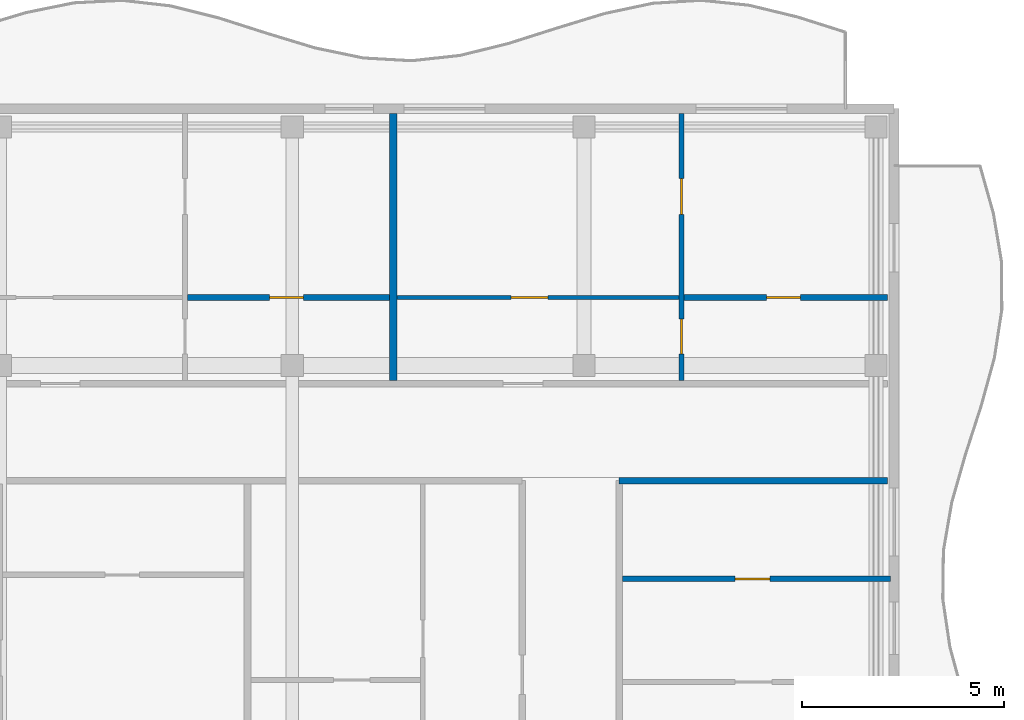
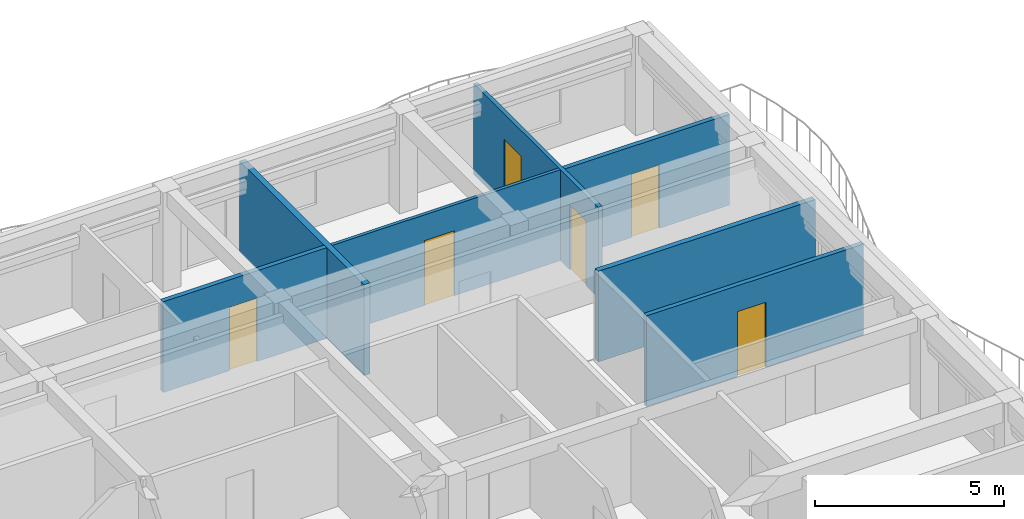
# One storey, part 38 of 54: 7 walls, 6 doors, 6 openings.
"""IFC4 building model written with IfcOpenShell, lengths in metres."""

from ifc_helpers import new_model, si_unit, direction, frame, frame_2d, origin, place, context, subcontext, project, spatial, rectangle, extrude, material, layer, layer_set, type_object, element, fill, save


model = new_model("IFC4")

# Units and contexts
model_context = context("Model", 3, precision=1e-05, world=origin(), true_north=direction((0.0, 1.0)))
body_context = subcontext(model_context, "Body", "Model", "MODEL_VIEW")
ifc_project = project(units=[si_unit("LENGTHUNIT", "METRE"), si_unit("AREAUNIT", "SQUARE_METRE"), si_unit("VOLUMEUNIT", "CUBIC_METRE"), si_unit("PLANEANGLEUNIT", "RADIAN"), si_unit("MASSUNIT", "GRAM", prefix="KILO")], contexts=[model_context])

# Site, building, storey
site_placement = place(None, origin())
site = spatial("IfcSite", under=ifc_project, at=site_placement, CompositionType="ELEMENT")
building_placement = place(site_placement, origin())
building = spatial("IfcBuilding", under=site, at=building_placement, Name="Keldmere Railside Commons", CompositionType="ELEMENT")
storey_placement = place(building_placement, frame((0.0, 0.0, 26.56005859375)))
storey = spatial("IfcBuildingStorey", under=building, at=storey_placement, Name="L08", CompositionType="ELEMENT", Elevation=26.56005859375)

# Wall
ifc_material_1 = material(Name="Acoustic Gypsum Board Partition", Category="gypsum")
ifc_layer_1 = layer(ifc_material_1, 0.179931640625, Name="Acoustic Demising Partition 180")
ifc_layer_set_1 = layer_set([ifc_layer_1], Name="Acoustic Gypsum Board Partition")
wall_type_1 = type_object("IfcWallType", Name="Acoustic Demising Partition 180", PredefinedType="PARTITIONING", material=ifc_layer_set_1)
wall_1_placement = place(storey_placement, frame((171.610107421875, 109.280029296875, 0.0), z_axis=(0.0, 0.0, 1.0), x_axis=(0.0, 1.0, 0.0)))
element("IfcWall", 1, at=wall_1_placement, inside=storey, type_object=wall_type_1, Name="IW-1 IW-L08-1748", PredefinedType="PARTITIONING", context=body_context, shape_type="SweptSolid", body=[
    extrude(rectangle(XDim=6.599853515625, YDim=0.179931640625, at=frame_2d((3.2998046875, 0.0))), origin(), (0.0, 0.0, 1.0), 2.93505859375),
])

# Wall, openings, doors
ifc_layer_2 = layer(ifc_material_1, 0.1201171875, Name="Apartment Interior Partition 120")
ifc_layer_set_2 = layer_set([ifc_layer_2], Name="Acoustic Gypsum Board Partition")
wall_type_2 = type_object("IfcWallType", Name="Apartment Interior Partition 120", PredefinedType="PARTITIONING", material=ifc_layer_set_2)
wall_2_placement = place(storey_placement, frame((178.739990234375, 109.280029296875, 0.0), z_axis=(0.0, 0.0, 1.0), x_axis=(0.0, 1.0, 0.0)))
wall_2 = element("IfcWall", 2, at=wall_2_placement, inside=storey, type_object=wall_type_2, Name="IW-4 IW-L08-1755", PredefinedType="PARTITIONING", context=body_context, shape_type="SweptSolid", body=[
    extrude(rectangle(XDim=6.599853515625, YDim=0.1201171875, at=frame_2d((3.2998046875, 0.0))), origin(), (0.0, 0.0, 1.0), 2.93505859375),
])
opening_1_placement = place(wall_2_placement, frame((0.656005859375, 0.0, 0.0)))
opening_1 = element("IfcOpeningElement", 3, at=opening_1_placement, cuts=wall_2, Name="Opening ID-04", PredefinedType="OPENING", context=body_context, shape_type="SweptSolid", body=[
    extrude(rectangle(XDim=0.860107421875, YDim=2.10009765625, at=frame_2d((0.43017578125, 1.050048828125))), frame((0.0, 0.070068359375, 0.0), z_axis=(0.0, -1.0, 0.0), x_axis=(1.0, 0.0, 0.0)), (0.0, 0.0, 1.0), 0.14013671875),
])
opening_2_placement = place(wall_2_placement, frame((4.097412109375, 0.0, 0.0)))
opening_2 = element("IfcOpeningElement", 4, at=opening_2_placement, cuts=wall_2, Name="Opening ID-01", PredefinedType="OPENING", context=body_context, shape_type="SweptSolid", body=[
    extrude(rectangle(XDim=0.89990234375, YDim=2.10009765625, at=frame_2d((0.449951171875, 1.050048828125))), frame((0.0, 0.070068359375, 0.0), z_axis=(0.0, -1.0, 0.0), x_axis=(1.0, 0.0, 0.0)), (0.0, 0.0, 1.0), 0.14013671875),
])
ifc_material_2 = material(Name="Engineered Oak Timber", Category="wood")
door_type_1 = type_object("IfcDoorType", Name="Apartment Bathroom Door 860x2100", OperationType="NOTDEFINED", PredefinedType="DOOR", material=ifc_material_2)
door_1_placement = place(opening_1_placement, origin())
door_1 = element("IfcDoor", 5, at=door_1_placement, inside=storey, type_object=door_type_1, Name="ID-04 IDR-L08-1602", OperationType="SINGLE_SWING_RIGHT", OverallHeight=2.10009765625, OverallWidth=0.860107421875, PredefinedType="DOOR", context=body_context, shape_type="SweptSolid", body=[
    extrude(rectangle(XDim=0.860107421875, YDim=2.10009765625, at=frame_2d((0.43017578125, 1.050048828125))), frame((0.0, 0.02490234375, 0.0), z_axis=(0.0, -1.0, 0.0), x_axis=(1.0, 0.0, 0.0)), (0.0, 0.0, 1.0), 0.050048828125),
])
fill(opening_1, door_1)
door_type_2 = type_object("IfcDoorType", Name="Primary Bedroom Door 900x2100", OperationType="NOTDEFINED", PredefinedType="DOOR", material=ifc_material_2)
door_2_placement = place(opening_2_placement, origin())
door_2 = element("IfcDoor", 6, at=door_2_placement, inside=storey, type_object=door_type_2, Name="ID-01 IDR-L08-1603", OperationType="SINGLE_SWING_LEFT", OverallHeight=2.10009765625, OverallWidth=0.89990234375, PredefinedType="DOOR", context=body_context, shape_type="SweptSolid", body=[
    extrude(rectangle(XDim=0.89990234375, YDim=2.10009765625, at=frame_2d((0.449951171875, 1.050048828125))), frame((0.0, 0.02490234375, 0.0), z_axis=(0.0, -1.0, 0.0), x_axis=(1.0, 0.0, 0.0)), (0.0, 0.0, 1.0), 0.050048828125),
])
fill(opening_2, door_2)

# Wall, opening, door
ifc_layer_3 = layer(ifc_material_1, 0.10009765625, Name="Closet Light Partition 100")
ifc_layer_set_3 = layer_set([ifc_layer_3], Name="Acoustic Gypsum Board Partition")
wall_type_3 = type_object("IfcWallType", Name="Closet Light Partition 100", PredefinedType="PARTITIONING", material=ifc_layer_set_3)
wall_3_placement = place(storey_placement, frame((171.699951171875, 111.330078125, 0.0), z_axis=(0.0, 0.0, 1.0), x_axis=(1.0, 0.0, 0.0)))
wall_3 = element("IfcWall", 7, at=wall_3_placement, inside=storey, type_object=wall_type_3, Name="IW-6 IW-L08-1757", PredefinedType="PARTITIONING", context=body_context, shape_type="SweptSolid", body=[
    extrude(rectangle(XDim=6.97998046875, YDim=0.10009765625, at=frame_2d((3.489990234375, 0.0))), origin(), (0.0, 0.0, 1.0), 2.93505859375),
])
opening_3_placement = place(wall_3_placement, frame((2.81591796875, 0.0, 0.0)))
opening_3 = element("IfcOpeningElement", 8, at=opening_3_placement, cuts=wall_3, Name="Opening ID-03", PredefinedType="OPENING", context=body_context, shape_type="SweptSolid", body=[
    extrude(rectangle(XDim=0.919921875, YDim=2.10009765625, at=frame_2d((0.4599609375, 1.050048828125))), frame((0.0, 0.06005859375, 0.0), z_axis=(0.0, -1.0, 0.0), x_axis=(1.0, 0.0, 0.0)), (0.0, 0.0, 1.0), 0.1201171875),
])
door_type_3 = type_object("IfcDoorType", Name="Kitchen Pocket-Frame Swing Door 920x2100", OperationType="NOTDEFINED", PredefinedType="DOOR", material=ifc_material_2)
door_3_placement = place(opening_3_placement, origin())
door_3 = element("IfcDoor", 9, at=door_3_placement, inside=storey, type_object=door_type_3, Name="ID-03 IDR-L08-1601", OperationType="SINGLE_SWING_LEFT", OverallHeight=2.10009765625, OverallWidth=0.919921875, PredefinedType="DOOR", context=body_context, shape_type="SweptSolid", body=[
    extrude(rectangle(XDim=0.919921875, YDim=2.10009765625, at=frame_2d((0.4599609375, 1.050048828125))), frame((0.0, 0.02490234375, 0.0), z_axis=(0.0, -1.0, 0.0), x_axis=(1.0, 0.0, 0.0)), (0.0, 0.0, 1.0), 0.050048828125),
])
fill(opening_3, door_3)

# Wall
ifc_layer_4 = layer(ifc_material_1, 0.159912109375, Name="Corridor Fire Partition 160")
ifc_layer_set_4 = layer_set([ifc_layer_4], Name="Acoustic Gypsum Board Partition")
wall_type_4 = type_object("IfcWallType", Name="Corridor Fire Partition 160", PredefinedType="PARTITIONING", material=ifc_layer_set_4)
wall_4_placement = place(storey_placement, frame((177.199951171875, 106.800048828125, 0.0), z_axis=(0.0, 0.0, 1.0), x_axis=(1.0, 0.0, 0.0)))
element("IfcWall", 10, at=wall_4_placement, inside=storey, type_object=wall_type_4, Name="IW-2 IW-L08-1725", PredefinedType="PARTITIONING", context=body_context, shape_type="SweptSolid", body=[
    extrude(rectangle(XDim=6.64013671875, YDim=0.159912109375, at=frame_2d((3.320068359375, 0.0))), origin(), (0.0, 0.0, 1.0), 2.93505859375),
])

# Wall, opening, door
ifc_layer_5 = layer(ifc_material_1, 0.139892578125, Name="Wet-Room Sanitary Partition 140")
ifc_layer_set_5 = layer_set([ifc_layer_5], Name="Acoustic Gypsum Board Partition")
wall_type_5 = type_object("IfcWallType", Name="Wet-Room Sanitary Partition 140", PredefinedType="PARTITIONING", material=ifc_layer_set_5)
wall_5_placement = place(storey_placement, frame((166.52001953125, 111.330078125, 0.0), z_axis=(0.0, 0.0, 1.0), x_axis=(1.0, 0.0, 0.0)))
wall_5 = element("IfcWall", 11, at=wall_5_placement, inside=storey, type_object=wall_type_5, Name="IW-5 IW-L08-1753", PredefinedType="PARTITIONING", context=body_context, shape_type="SweptSolid", body=[
    extrude(rectangle(XDim=5.0, YDim=0.139892578125, at=frame_2d((2.5, 0.0))), origin(), (0.0, 0.0, 1.0), 2.93505859375),
])
opening_4_placement = place(wall_5_placement, frame((2.02392578125, 0.0, 0.0)))
opening_4 = element("IfcOpeningElement", 12, at=opening_4_placement, cuts=wall_5, Name="Opening ID-06", PredefinedType="OPENING", context=body_context, shape_type="SweptSolid", body=[
    extrude(rectangle(XDim=0.85009765625, YDim=2.050048828125, at=frame_2d((0.425048828125, 1.02490234375))), frame((0.0, 0.079833984375, 0.0), z_axis=(0.0, -1.0, 0.0), x_axis=(1.0, 0.0, 0.0)), (0.0, 0.0, 1.0), 0.159912109375),
])
door_type_4 = type_object("IfcDoorType", Name="Storage Closet Door 850x2050", OperationType="NOTDEFINED", PredefinedType="DOOR", material=ifc_material_2)
door_4_placement = place(opening_4_placement, origin())
door_4 = element("IfcDoor", 13, at=door_4_placement, inside=storey, type_object=door_type_4, Name="ID-06 IDR-L08-1599", OperationType="SINGLE_SWING_LEFT", OverallHeight=2.050048828125, OverallWidth=0.85009765625, PredefinedType="DOOR", context=body_context, shape_type="SweptSolid", body=[
    extrude(rectangle(XDim=0.85009765625, YDim=2.050048828125, at=frame_2d((0.425048828125, 1.02490234375))), frame((0.0, 0.02490234375, 0.0), z_axis=(0.0, -1.0, 0.0), x_axis=(1.0, 0.0, 0.0)), (0.0, 0.0, 1.0), 0.050048828125),
])
fill(opening_4, door_4)

wall_6_placement = place(storey_placement, frame((178.800048828125, 111.330078125, 0.0), z_axis=(0.0, 0.0, 1.0), x_axis=(1.0, 0.0, 0.0)))
wall_6 = element("IfcWall", 14, at=wall_6_placement, inside=storey, type_object=wall_type_5, Name="IW-5 IW-L08-1756", PredefinedType="PARTITIONING", context=body_context, shape_type="SweptSolid", body=[
    extrude(rectangle(XDim=5.0400390625, YDim=0.139892578125, at=frame_2d((2.52001953125, 0.0))), origin(), (0.0, 0.0, 1.0), 2.93505859375),
])
opening_5_placement = place(wall_6_placement, frame((2.0400390625, 0.0, 0.0)))
opening_5 = element("IfcOpeningElement", 15, at=opening_5_placement, cuts=wall_6, Name="Opening ID-06", PredefinedType="OPENING", context=body_context, shape_type="SweptSolid", body=[
    extrude(rectangle(XDim=0.85009765625, YDim=2.050048828125, at=frame_2d((0.425048828125, 1.02490234375))), frame((0.0, 0.079833984375, 0.0), z_axis=(0.0, -1.0, 0.0), x_axis=(1.0, 0.0, 0.0)), (0.0, 0.0, 1.0), 0.159912109375),
])
door_5_placement = place(opening_5_placement, origin())
door_5 = element("IfcDoor", 16, at=door_5_placement, inside=storey, type_object=door_type_4, Name="ID-06 IDR-L08-1604", OperationType="SINGLE_SWING_RIGHT", OverallHeight=2.050048828125, OverallWidth=0.85009765625, PredefinedType="DOOR", context=body_context, shape_type="SweptSolid", body=[
    extrude(rectangle(XDim=0.85009765625, YDim=2.050048828125, at=frame_2d((0.425048828125, 1.02490234375))), frame((0.0, 0.02490234375, 0.0), z_axis=(0.0, -1.0, 0.0), x_axis=(1.0, 0.0, 0.0)), (0.0, 0.0, 1.0), 0.050048828125),
])
fill(opening_5, door_5)

wall_7_placement = place(storey_placement, frame((177.280029296875, 104.3701171875, 0.0), z_axis=(0.0, 0.0, 1.0), x_axis=(1.0, 0.0, 0.0)))
wall_7 = element("IfcWall", 17, at=wall_7_placement, inside=storey, type_object=wall_type_5, Name="IW-5 IW-L08-1765", PredefinedType="PARTITIONING", context=body_context, shape_type="SweptSolid", body=[
    extrude(rectangle(XDim=6.6298828125, YDim=0.139892578125, at=frame_2d((3.31494140625, 0.0))), origin(), (0.0, 0.0, 1.0), 2.93505859375),
])
opening_6_placement = place(wall_7_placement, frame((2.78466796875, 0.0, 0.0)))
opening_6 = element("IfcOpeningElement", 18, at=opening_6_placement, cuts=wall_7, Name="Opening ID-04", PredefinedType="OPENING", context=body_context, shape_type="SweptSolid", body=[
    extrude(rectangle(XDim=0.860107421875, YDim=2.10009765625, at=frame_2d((0.43017578125, 1.050048828125))), frame((0.0, 0.079833984375, 0.0), z_axis=(0.0, -1.0, 0.0), x_axis=(1.0, 0.0, 0.0)), (0.0, 0.0, 1.0), 0.159912109375),
])
door_6_placement = place(opening_6_placement, origin())
door_6 = element("IfcDoor", 19, at=door_6_placement, inside=storey, type_object=door_type_1, Name="ID-04 IDR-L08-1613", OperationType="SINGLE_SWING_LEFT", OverallHeight=2.10009765625, OverallWidth=0.860107421875, PredefinedType="DOOR", context=body_context, shape_type="SweptSolid", body=[
    extrude(rectangle(XDim=0.860107421875, YDim=2.10009765625, at=frame_2d((0.43017578125, 1.050048828125))), frame((0.0, 0.02490234375, 0.0), z_axis=(0.0, -1.0, 0.0), x_axis=(1.0, 0.0, 0.0)), (0.0, 0.0, 1.0), 0.050048828125),
])
fill(opening_6, door_6)

save(model, "model.ifc")
